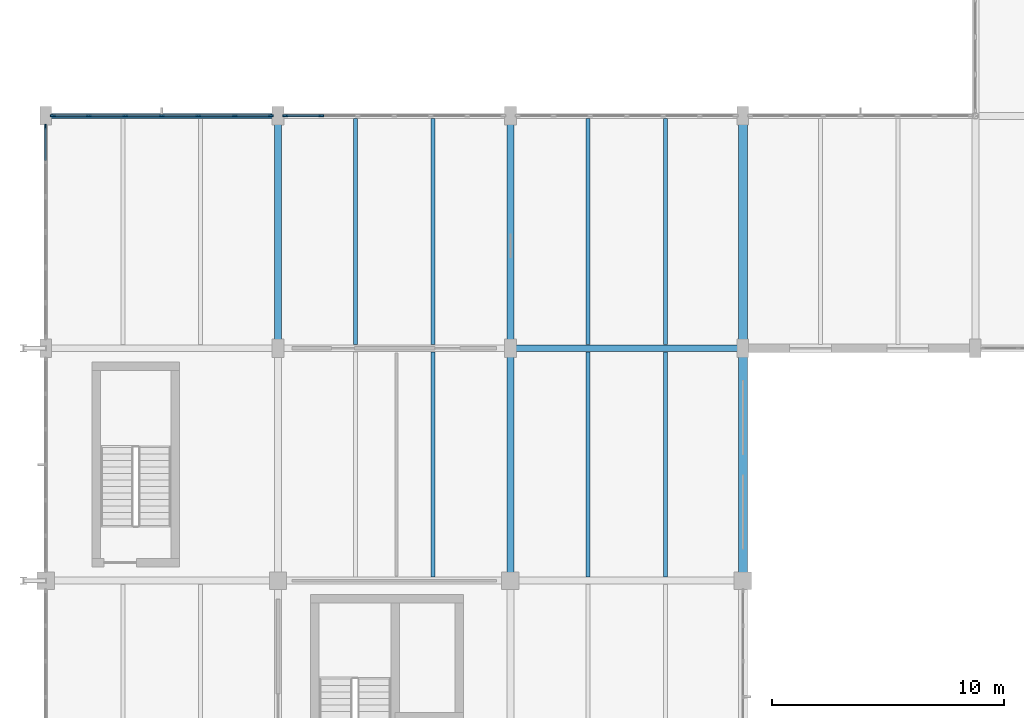
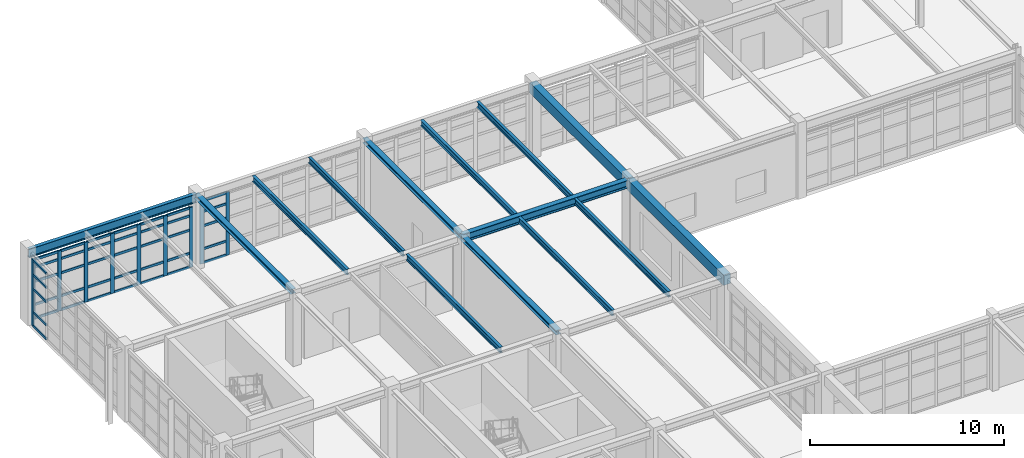
# One storey, part 45 of 139: 50 members, 14 beams, 3 elements without a shape of their own.
"""IFC4 building model written with IfcOpenShell, lengths in metres."""

import ifcopenshell
import ifcopenshell.guid

model = None  # the IFC model being written
_history = None  # IfcOwnerHistory: only IFC2X3 demands one
_inside = {}  # id of a spatial element -> (the spatial element, [elements in it])
_under = {}  # id of a project, library or spatial element -> (it, [spatial elements below it])
_declared = {}  # id of a project -> (the project, [libraries it declares])
_typed = {}  # id of a type object -> (the type object, [elements of that type])
_made_of = {}  # id of a material, layer set ... -> (it, [elements and type objects made of it])


def new_model(schema):
    """Start an empty IFC model of exactly this schema.

    Asked for "IFC4X3", IfcOpenShell would pick the latest addendum, in which some entities
    have other attributes; the version numbers below select the first issue.
    IFC2X3 requires an IfcOwnerHistory on every rooted entity: one is made here for all.
    """
    global model, _history
    if schema == "IFC4X3":
        model = ifcopenshell.file(schema_version=(4, 3, 0, 0))
    else:
        model = ifcopenshell.file(schema=schema)
    _inside.clear()
    _under.clear()
    _declared.clear()
    _typed.clear()
    _made_of.clear()
    _history = None
    if model.schema == "IFC2X3":
        org = make("IfcOrganization", Name="unknown")
        user = make(
            "IfcPersonAndOrganization",
            ThePerson=make("IfcPerson", FamilyName="unknown"),
            TheOrganization=org,
        )
        app = make(
            "IfcApplication",
            ApplicationDeveloper=org,
            Version="unknown",
            ApplicationFullName="unknown",
            ApplicationIdentifier="unknown",
        )
        _history = make(
            "IfcOwnerHistory",
            OwningUser=user,
            OwningApplication=app,
            ChangeAction="ADDED",
            CreationDate=0,
        )
    return model


def make(cls, **values):
    """One entity of the class cls with the attributes given. An attribute that is None is left unset."""
    return model.create_entity(
        cls, **{name: value for name, value in values.items() if value is not None}
    )


def rooted(cls, **values):
    """An entity with a GlobalId (a new one), such as an element, a storey or a relation."""
    return make(cls, GlobalId=ifcopenshell.guid.new(), OwnerHistory=_history, **values)


def si_unit(unit_type, name, prefix=None):
    """IfcSIUnit, for example si_unit("LENGTHUNIT", "METRE", prefix="MILLI")."""
    return make("IfcSIUnit", UnitType=unit_type, Prefix=prefix, Name=name)


def assignment(units):
    """IfcUnitAssignment: the units of a project."""
    return None if units is None else make("IfcUnitAssignment", Units=units)


def point(xyz):
    """IfcCartesianPoint."""
    return None if xyz is None else make("IfcCartesianPoint", Coordinates=xyz)


def direction(xyz):
    """IfcDirection."""
    return None if xyz is None else make("IfcDirection", DirectionRatios=xyz)


def frame(location, z_axis=None, x_axis=None):
    """IfcAxis2Placement3D, a coordinate frame: its origin and axes. An axis left out is left unset."""
    return make(
        "IfcAxis2Placement3D",
        Location=point(location),
        Axis=direction(z_axis),
        RefDirection=direction(x_axis),
    )


def frame_2d(location, x_axis=None):
    """IfcAxis2Placement2D, a coordinate frame in the plane: its origin and x axis."""
    return make(
        "IfcAxis2Placement2D", Location=point(location), RefDirection=direction(x_axis)
    )


def origin():
    """The frame at (0, 0, 0) with its axes left unset."""
    return frame((0.0, 0.0, 0.0))


def origin_2d():
    """The frame at (0, 0) in the plane with its x axis left unset."""
    return frame_2d((0.0, 0.0))


def place(relative_to, where):
    """IfcLocalPlacement: puts the frame where relative to a parent placement (None: the world)."""
    return make(
        "IfcLocalPlacement", PlacementRelTo=relative_to, RelativePlacement=where
    )


def context(
    kind, dimensions, precision=None, world=None, true_north=None, identifier=None
):
    """IfcGeometricRepresentationContext, for example the 3D "Model" context."""
    return make(
        "IfcGeometricRepresentationContext",
        ContextIdentifier=identifier,
        ContextType=kind,
        CoordinateSpaceDimension=dimensions,
        Precision=precision,
        WorldCoordinateSystem=world,
        TrueNorth=true_north,
    )


def subcontext(parent, identifier, kind, view, scale=None):
    """IfcGeometricRepresentationSubContext, for example "Body" below "Model"."""
    return make(
        "IfcGeometricRepresentationSubContext",
        ContextIdentifier=identifier,
        ContextType=kind,
        ParentContext=parent,
        TargetScale=scale,
        TargetView=view,
    )


def project(units=None, contexts=None):
    """IfcProject with its units and contexts."""
    return rooted(
        "IfcProject",
        Name="project",
        RepresentationContexts=contexts,
        UnitsInContext=assignment(units),
    )


def spatial(cls, under=None, at=None, **own):
    """A site, building, storey or space (cls), placed at a placement, below another one or the project."""
    s = rooted(cls, ObjectPlacement=at, **own)
    if under is not None:
        _under.setdefault(under.id(), (under, []))[1].append(s)
    return s


def profile(cls, at=None, kind="AREA", **sizes):
    """A parametric profile (cls). Its sizes go by their IFC names, for example OverallWidth=200.0."""
    return make(cls, ProfileType=kind, Position=at, **sizes)


def rectangle(**sizes):
    """IfcRectangleProfileDef."""
    return profile("IfcRectangleProfileDef", **sizes)


def i_section(**sizes):
    """IfcIShapeProfileDef."""
    return profile("IfcIShapeProfileDef", **sizes)


def extrude(swept, where, along, depth):
    """IfcExtrudedAreaSolid: the profile swept, set in the frame where, extruded along a direction by depth."""
    return make(
        "IfcExtrudedAreaSolid",
        SweptArea=swept,
        Position=where,
        ExtrudedDirection=direction(along),
        Depth=depth,
    )


def shape(context_of_items, identifier, shape_type, items):
    """IfcShapeRepresentation: the items that make up one representation, for example the "Body"."""
    return make(
        "IfcShapeRepresentation",
        ContextOfItems=context_of_items,
        RepresentationIdentifier=identifier,
        RepresentationType=shape_type,
        Items=items,
    )


def material(Name=None, Category=None):
    """IfcMaterial."""
    return make("IfcMaterial", Name=Name, Category=Category)


def layer(
    of_material, thickness, ventilated=None, Name=None, Category=None, Priority=None
):
    """IfcMaterialLayer: one layer of a wall or slab, of a material (None: an air gap)."""
    return make(
        "IfcMaterialLayer",
        Material=of_material,
        LayerThickness=thickness,
        IsVentilated=ventilated,
        Name=Name,
        Category=Category,
        Priority=Priority,
    )


def layer_set(layers, Name=None):
    """IfcMaterialLayerSet."""
    return make("IfcMaterialLayerSet", MaterialLayers=layers, LayerSetName=Name)


def material_profile(
    of_material, cross_section, Name=None, Category=None, Priority=None
):
    """IfcMaterialProfile: a cross section and its material."""
    return make(
        "IfcMaterialProfile",
        Name=Name,
        Material=of_material,
        Profile=cross_section,
        Priority=Priority,
        Category=Category,
    )


def profile_set(profiles, Name=None, composite=None):
    """IfcMaterialProfileSet."""
    return make(
        "IfcMaterialProfileSet",
        Name=Name,
        MaterialProfiles=profiles,
        CompositeProfile=composite,
    )


def made_of(thing, what):
    """Note that an element or type object is made of a material, layer set ...; save() writes the relation."""
    if what is not None:
        _made_of.setdefault(what.id(), (what, []))[1].append(thing)
    return thing


def type_object(cls, material=None, **own):
    """A type object (cls), such as IfcWallType, which elements share."""
    return made_of(rooted(cls, **own), material)


def element(
    cls,
    number,
    at=None,
    inside=None,
    cuts=None,
    type_object=None,
    material=None,
    context=None,
    identifier="Body",
    shape_type=None,
    held_by="IfcProductDefinitionShape",
    body=None,
    shapes=None,
    **own,
):
    """One element of the class cls, such as IfcWall. Its Tag is "e" and its number.

    at: its placement. inside: the storey or other place that contains it. cuts: it is an
    opening in that element (IfcRelVoidsElement). A single representation is given by context,
    identifier, shape_type and body (its items); several are given by shapes. held_by: the class
    of the entity that holds the representations. save() writes the other relations.
    """
    e = rooted(cls, Tag="e%d" % number, ObjectPlacement=at, **own)
    if body is not None:
        shapes = [shape(context, identifier, shape_type, body)]
    if shapes is not None:
        e.Representation = make(held_by, Representations=shapes)
    if inside is not None:
        _inside.setdefault(inside.id(), (inside, []))[1].append(e)
    if cuts is not None:
        rooted(
            "IfcRelVoidsElement", RelatingBuildingElement=cuts, RelatedOpeningElement=e
        )
    if type_object is not None:
        _typed.setdefault(type_object.id(), (type_object, []))[1].append(e)
    return made_of(e, material)


def aggregate(whole, parts):
    """IfcRelAggregates: a whole, such as a stair, and the parts it consists of."""
    return rooted("IfcRelAggregates", RelatingObject=whole, RelatedObjects=parts)


def save(model, path):
    """Write the relations noted so far, then the file.

    IfcRelAggregates (storeys below a building ...), IfcRelContainedInSpatialStructure (elements
    in a storey), IfcRelDefinesByType, IfcRelAssociatesMaterial and IfcRelDeclares: one each for
    every whole, place, type object, material and project.
    """
    for whole, parts in _under.values():
        aggregate(whole, parts)
    for where, things in _inside.values():
        rooted(
            "IfcRelContainedInSpatialStructure",
            RelatedElements=things,
            RelatingStructure=where,
        )
    for kind, things in _typed.values():
        rooted("IfcRelDefinesByType", RelatedObjects=things, RelatingType=kind)
    for what, things in _made_of.values():
        rooted("IfcRelAssociatesMaterial", RelatedObjects=things, RelatingMaterial=what)
    for by, libraries in _declared.values():
        rooted("IfcRelDeclares", RelatingContext=by, RelatedDefinitions=libraries)
    model.write(path)


model = new_model("IFC4")

# Units and contexts
model_context = context("Model", 3, precision=1e-05, world=origin(), true_north=direction((0.0, 1.0)))
body_context = subcontext(model_context, "Body", "Model", "MODEL_VIEW")
ifc_project = project(units=[si_unit("LENGTHUNIT", "METRE"), si_unit("AREAUNIT", "SQUARE_METRE"), si_unit("VOLUMEUNIT", "CUBIC_METRE"), si_unit("PLANEANGLEUNIT", "RADIAN"), si_unit("MASSUNIT", "GRAM", prefix="KILO"), si_unit("THERMODYNAMICTEMPERATUREUNIT", "KELVIN"), si_unit("POWERUNIT", "WATT")], contexts=[model_context])

# Site, building, storey
site_placement = place(None, origin())
site = spatial("IfcSite", under=ifc_project, at=site_placement, CompositionType="ELEMENT")
building_placement = place(site_placement, origin())
building = spatial("IfcBuilding", under=site, at=building_placement, Name="Korenveer Ferry Terminal", CompositionType="ELEMENT")
storey_placement = place(building_placement, frame((0.0, 0.0, 5.39990234375)))
storey = spatial("IfcBuildingStorey", under=building, at=storey_placement, Name="L01", CompositionType="ELEMENT", Elevation=5.39990234375)

# Curtain wall, members
ifc_material_1 = material(Name="Unitised bronze-and-glass curtain wall", Category="glass")
ifc_layer_1 = layer(ifc_material_1, 0.219970703125)
ifc_layer_set_1 = layer_set([ifc_layer_1], Name="Unitised bronze-and-glass curtain wall")
curtain_wall_type_1 = type_object("IfcCurtainWallType", Name="ENV-CW-48", PredefinedType="USERDEFINED", material=ifc_layer_set_1)
curtain_wall_1_placement = place(storey_placement, frame((0.280029296875, 80.0, 0.0)))
curtain_wall_1 = element("IfcCurtainWall", 1, at=curtain_wall_1_placement, inside=storey, type_object=curtain_wall_type_1, Name="Lancet curtain wall CWX-L01-X0-10-Y80-80", ObjectType="UNITISED CURTAIN WALL", PredefinedType="USERDEFINED")
ifc_material_2 = material(Name="Anodised bronze aluminium", Category="aluminium")
ifc_material_profile_1 = material_profile(ifc_material_2, rectangle(XDim=0.074951171875, YDim=0.219970703125, at=origin_2d()), Name="ALU 75x220")
ifc_profile_set_1 = profile_set([ifc_material_profile_1], Name="Anodised bronze aluminium")
member_type_1 = type_object("IfcMemberType", Name="ENV-CWM-75X220", PredefinedType="MULLION", material=ifc_profile_set_1)
member_1_placement = place(storey_placement, frame((0.3173828125, 80.0, 0.0), z_axis=(0.0, 0.0, 1.0), x_axis=(0.0, 1.0, 0.0)))
member_1 = element("IfcMember", 2, at=member_1_placement, type_object=member_type_1, Name="CW-48 mullion 1", PredefinedType="MULLION", context=body_context, shape_type="SweptSolid", body=[
    extrude(rectangle(XDim=0.074951171875, YDim=0.219970703125, at=origin_2d()), origin(), (0.0, 0.0, 1.0), 3.77001953125),
])
member_2_placement = place(storey_placement, frame((1.853271484375, 80.0, 0.0), z_axis=(0.0, 0.0, 1.0), x_axis=(0.0, 1.0, 0.0)))
member_2 = element("IfcMember", 3, at=member_2_placement, type_object=member_type_1, Name="CW-48 mullion 2", PredefinedType="MULLION", context=body_context, shape_type="SweptSolid", body=[
    extrude(rectangle(XDim=0.074951171875, YDim=0.219970703125, at=origin_2d()), origin(), (0.0, 0.0, 1.0), 3.77001953125),
])
member_3_placement = place(storey_placement, frame((3.4267578125, 80.0, 0.0), z_axis=(0.0, 0.0, 1.0), x_axis=(0.0, 1.0, 0.0)))
member_3 = element("IfcMember", 4, at=member_3_placement, type_object=member_type_1, Name="CW-48 mullion 3", PredefinedType="MULLION", context=body_context, shape_type="SweptSolid", body=[
    extrude(rectangle(XDim=0.074951171875, YDim=0.219970703125, at=origin_2d()), origin(), (0.0, 0.0, 1.0), 3.77001953125),
])
member_4_placement = place(storey_placement, frame((5.0, 80.0, 0.0), z_axis=(0.0, 0.0, 1.0), x_axis=(0.0, 1.0, 0.0)))
member_4 = element("IfcMember", 5, at=member_4_placement, type_object=member_type_1, Name="CW-48 mullion 4", PredefinedType="MULLION", context=body_context, shape_type="SweptSolid", body=[
    extrude(rectangle(XDim=0.074951171875, YDim=0.219970703125, at=origin_2d()), origin(), (0.0, 0.0, 1.0), 3.77001953125),
])
member_5_placement = place(storey_placement, frame((6.5732421875, 80.0, 0.0), z_axis=(0.0, 0.0, 1.0), x_axis=(0.0, 1.0, 0.0)))
member_5 = element("IfcMember", 6, at=member_5_placement, type_object=member_type_1, Name="CW-48 mullion 5", PredefinedType="MULLION", context=body_context, shape_type="SweptSolid", body=[
    extrude(rectangle(XDim=0.074951171875, YDim=0.219970703125, at=origin_2d()), origin(), (0.0, 0.0, 1.0), 3.77001953125),
])
member_6_placement = place(storey_placement, frame((8.146728515625, 80.0, 0.0), z_axis=(0.0, 0.0, 1.0), x_axis=(0.0, 1.0, 0.0)))
member_6 = element("IfcMember", 7, at=member_6_placement, type_object=member_type_1, Name="CW-48 mullion 6", PredefinedType="MULLION", context=body_context, shape_type="SweptSolid", body=[
    extrude(rectangle(XDim=0.074951171875, YDim=0.219970703125, at=origin_2d()), origin(), (0.0, 0.0, 1.0), 3.77001953125),
])
member_7_placement = place(storey_placement, frame((9.6826171875, 80.0, 0.0), z_axis=(0.0, 0.0, 1.0), x_axis=(0.0, 1.0, 0.0)))
member_7 = element("IfcMember", 8, at=member_7_placement, type_object=member_type_1, Name="CW-48 mullion 7", PredefinedType="MULLION", context=body_context, shape_type="SweptSolid", body=[
    extrude(rectangle(XDim=0.074951171875, YDim=0.219970703125, at=origin_2d()), origin(), (0.0, 0.0, 1.0), 3.77001953125),
])

ifc_layer_2 = layer(ifc_material_1, 0.219970703125)
ifc_layer_set_2 = layer_set([ifc_layer_2], Name="Unitised bronze-and-glass curtain wall")
curtain_wall_type_2 = type_object("IfcCurtainWallType", Name="ENV-CW-49", PredefinedType="USERDEFINED", material=ifc_layer_set_2)
curtain_wall_2_placement = place(storey_placement, frame((10.280029296875, 80.0, 0.0)))
curtain_wall_2 = element("IfcCurtainWall", 9, at=curtain_wall_2_placement, inside=storey, type_object=curtain_wall_type_2, Name="Lancet curtain wall CWX-L01-X10-20-Y80-80", ObjectType="UNITISED CURTAIN WALL", PredefinedType="USERDEFINED")
member_8_placement = place(storey_placement, frame((10.3173828125, 80.0, 0.0), z_axis=(0.0, 0.0, 1.0), x_axis=(0.0, 1.0, 0.0)))
member_8 = element("IfcMember", 10, at=member_8_placement, type_object=member_type_1, Name="CW-49 mullion 1", PredefinedType="MULLION", context=body_context, shape_type="SweptSolid", body=[
    extrude(rectangle(XDim=0.074951171875, YDim=0.219970703125, at=origin_2d()), origin(), (0.0, 0.0, 1.0), 3.97021484375),
])
member_9_placement = place(storey_placement, frame((11.853271484375, 80.0, 0.0), z_axis=(0.0, 0.0, 1.0), x_axis=(0.0, 1.0, 0.0)))
member_9 = element("IfcMember", 11, at=member_9_placement, type_object=member_type_1, Name="CW-49 mullion 2", PredefinedType="MULLION", context=body_context, shape_type="SweptSolid", body=[
    extrude(rectangle(XDim=0.074951171875, YDim=0.219970703125, at=origin_2d()), origin(), (0.0, 0.0, 1.0), 3.97021484375),
])

# Curtain wall, member
ifc_layer_3 = layer(ifc_material_1, 0.219970703125)
ifc_layer_set_3 = layer_set([ifc_layer_3], Name="Unitised bronze-and-glass curtain wall")
curtain_wall_type_3 = type_object("IfcCurtainWallType", Name="ENV-CW-61", PredefinedType="USERDEFINED", material=ifc_layer_set_3)
curtain_wall_3_placement = place(storey_placement, frame((0.0, 70.429931640625, 0.0)))
curtain_wall_3 = element("IfcCurtainWall", 12, at=curtain_wall_3_placement, inside=storey, type_object=curtain_wall_type_3, Name="Lancet curtain wall CWX-L01-X0-0-Y70-80", ObjectType="UNITISED CURTAIN WALL", PredefinedType="USERDEFINED")
member_10_placement = place(storey_placement, frame((0.0, 79.532470703125, 0.0), z_axis=(0.0, 0.0, 1.0), x_axis=(-1.0, 0.0, 0.0)))
member_10 = element("IfcMember", 13, at=member_10_placement, type_object=member_type_1, Name="CW-61 mullion 7", PredefinedType="MULLION", context=body_context, shape_type="SweptSolid", body=[
    extrude(rectangle(XDim=0.074951171875, YDim=0.219970703125, at=origin_2d()), origin(), (0.0, 0.0, 1.0), 4.170166015625),
])

# Member
ifc_material_profile_2 = material_profile(ifc_material_2, rectangle(XDim=0.074951171875, YDim=0.14990234375, at=origin_2d()), Name="ALU 75x150")
ifc_profile_set_2 = profile_set([ifc_material_profile_2], Name="Anodised bronze aluminium")
member_type_2 = type_object("IfcMemberType", Name="ENV-CWT-75X150", PredefinedType="USERDEFINED", material=ifc_profile_set_2)
member_11_placement = place(storey_placement, frame((0.35498046875, 80.0, 0.03759765625), z_axis=(1.0, 0.0, 0.0), x_axis=(0.0, 1.0, 0.0)))
member_11 = element("IfcMember", 14, at=member_11_placement, type_object=member_type_2, Name="CW-48 transom 1.1", ObjectType="TRANSOM", PredefinedType="USERDEFINED", context=body_context, shape_type="SweptSolid", body=[
    extrude(rectangle(XDim=0.074951171875, YDim=0.14990234375, at=origin_2d()), origin(), (0.0, 0.0, 1.0), 1.4609375),
])

member_12_placement = place(storey_placement, frame((0.35498046875, 80.0, 0.900146484375), z_axis=(1.0, 0.0, 0.0), x_axis=(0.0, 1.0, 0.0)))
member_12 = element("IfcMember", 15, at=member_12_placement, type_object=member_type_2, Name="CW-48 transom 1.2", ObjectType="TRANSOM", PredefinedType="USERDEFINED", context=body_context, shape_type="SweptSolid", body=[
    extrude(rectangle(XDim=0.074951171875, YDim=0.14990234375, at=origin_2d()), origin(), (0.0, 0.0, 1.0), 1.4609375),
])

member_13_placement = place(storey_placement, frame((0.35498046875, 80.0, 2.35009765625), z_axis=(1.0, 0.0, 0.0), x_axis=(0.0, 1.0, 0.0)))
member_13 = element("IfcMember", 16, at=member_13_placement, type_object=member_type_2, Name="CW-48 transom 1.3", ObjectType="TRANSOM", PredefinedType="USERDEFINED", context=body_context, shape_type="SweptSolid", body=[
    extrude(rectangle(XDim=0.074951171875, YDim=0.14990234375, at=origin_2d()), origin(), (0.0, 0.0, 1.0), 1.4609375),
])

member_14_placement = place(storey_placement, frame((0.35498046875, 80.0, 3.25), z_axis=(1.0, 0.0, 0.0), x_axis=(0.0, 1.0, 0.0)))
member_14 = element("IfcMember", 17, at=member_14_placement, type_object=member_type_2, Name="CW-48 transom 1.4", ObjectType="TRANSOM", PredefinedType="USERDEFINED", context=body_context, shape_type="SweptSolid", body=[
    extrude(rectangle(XDim=0.074951171875, YDim=0.14990234375, at=origin_2d()), origin(), (0.0, 0.0, 1.0), 1.4609375),
])

member_15_placement = place(storey_placement, frame((0.35498046875, 80.0, 3.732666015625), z_axis=(1.0, 0.0, 0.0), x_axis=(0.0, 1.0, 0.0)))
member_15 = element("IfcMember", 18, at=member_15_placement, type_object=member_type_2, Name="CW-48 transom 1.5", ObjectType="TRANSOM", PredefinedType="USERDEFINED", context=body_context, shape_type="SweptSolid", body=[
    extrude(rectangle(XDim=0.074951171875, YDim=0.14990234375, at=origin_2d()), origin(), (0.0, 0.0, 1.0), 1.4609375),
])

member_16_placement = place(storey_placement, frame((1.890869140625, 80.0, 0.03759765625), z_axis=(1.0, 0.0, 0.0), x_axis=(0.0, 1.0, 0.0)))
member_16 = element("IfcMember", 19, at=member_16_placement, type_object=member_type_2, Name="CW-48 transom 2.1", ObjectType="TRANSOM", PredefinedType="USERDEFINED", context=body_context, shape_type="SweptSolid", body=[
    extrude(rectangle(XDim=0.074951171875, YDim=0.14990234375, at=origin_2d()), origin(), (0.0, 0.0, 1.0), 1.498291015625),
])

member_17_placement = place(storey_placement, frame((1.890869140625, 80.0, 0.900146484375), z_axis=(1.0, 0.0, 0.0), x_axis=(0.0, 1.0, 0.0)))
member_17 = element("IfcMember", 20, at=member_17_placement, type_object=member_type_2, Name="CW-48 transom 2.2", ObjectType="TRANSOM", PredefinedType="USERDEFINED", context=body_context, shape_type="SweptSolid", body=[
    extrude(rectangle(XDim=0.074951171875, YDim=0.14990234375, at=origin_2d()), origin(), (0.0, 0.0, 1.0), 1.498291015625),
])

member_18_placement = place(storey_placement, frame((1.890869140625, 80.0, 2.35009765625), z_axis=(1.0, 0.0, 0.0), x_axis=(0.0, 1.0, 0.0)))
member_18 = element("IfcMember", 21, at=member_18_placement, type_object=member_type_2, Name="CW-48 transom 2.3", ObjectType="TRANSOM", PredefinedType="USERDEFINED", context=body_context, shape_type="SweptSolid", body=[
    extrude(rectangle(XDim=0.074951171875, YDim=0.14990234375, at=origin_2d()), origin(), (0.0, 0.0, 1.0), 1.498291015625),
])

member_19_placement = place(storey_placement, frame((1.890869140625, 80.0, 3.25), z_axis=(1.0, 0.0, 0.0), x_axis=(0.0, 1.0, 0.0)))
member_19 = element("IfcMember", 22, at=member_19_placement, type_object=member_type_2, Name="CW-48 transom 2.4", ObjectType="TRANSOM", PredefinedType="USERDEFINED", context=body_context, shape_type="SweptSolid", body=[
    extrude(rectangle(XDim=0.074951171875, YDim=0.14990234375, at=origin_2d()), origin(), (0.0, 0.0, 1.0), 1.498291015625),
])

member_20_placement = place(storey_placement, frame((1.890869140625, 80.0, 3.732666015625), z_axis=(1.0, 0.0, 0.0), x_axis=(0.0, 1.0, 0.0)))
member_20 = element("IfcMember", 23, at=member_20_placement, type_object=member_type_2, Name="CW-48 transom 2.5", ObjectType="TRANSOM", PredefinedType="USERDEFINED", context=body_context, shape_type="SweptSolid", body=[
    extrude(rectangle(XDim=0.074951171875, YDim=0.14990234375, at=origin_2d()), origin(), (0.0, 0.0, 1.0), 1.498291015625),
])

member_21_placement = place(storey_placement, frame((3.464111328125, 80.0, 0.03759765625), z_axis=(1.0, 0.0, 0.0), x_axis=(0.0, 1.0, 0.0)))
member_21 = element("IfcMember", 24, at=member_21_placement, type_object=member_type_2, Name="CW-48 transom 3.1", ObjectType="TRANSOM", PredefinedType="USERDEFINED", context=body_context, shape_type="SweptSolid", body=[
    extrude(rectangle(XDim=0.074951171875, YDim=0.14990234375, at=origin_2d()), origin(), (0.0, 0.0, 1.0), 1.498291015625),
])

member_22_placement = place(storey_placement, frame((3.464111328125, 80.0, 0.900146484375), z_axis=(1.0, 0.0, 0.0), x_axis=(0.0, 1.0, 0.0)))
member_22 = element("IfcMember", 25, at=member_22_placement, type_object=member_type_2, Name="CW-48 transom 3.2", ObjectType="TRANSOM", PredefinedType="USERDEFINED", context=body_context, shape_type="SweptSolid", body=[
    extrude(rectangle(XDim=0.074951171875, YDim=0.14990234375, at=origin_2d()), origin(), (0.0, 0.0, 1.0), 1.498291015625),
])

member_23_placement = place(storey_placement, frame((3.464111328125, 80.0, 2.35009765625), z_axis=(1.0, 0.0, 0.0), x_axis=(0.0, 1.0, 0.0)))
member_23 = element("IfcMember", 26, at=member_23_placement, type_object=member_type_2, Name="CW-48 transom 3.3", ObjectType="TRANSOM", PredefinedType="USERDEFINED", context=body_context, shape_type="SweptSolid", body=[
    extrude(rectangle(XDim=0.074951171875, YDim=0.14990234375, at=origin_2d()), origin(), (0.0, 0.0, 1.0), 1.498291015625),
])

member_24_placement = place(storey_placement, frame((3.464111328125, 80.0, 3.25), z_axis=(1.0, 0.0, 0.0), x_axis=(0.0, 1.0, 0.0)))
member_24 = element("IfcMember", 27, at=member_24_placement, type_object=member_type_2, Name="CW-48 transom 3.4", ObjectType="TRANSOM", PredefinedType="USERDEFINED", context=body_context, shape_type="SweptSolid", body=[
    extrude(rectangle(XDim=0.074951171875, YDim=0.14990234375, at=origin_2d()), origin(), (0.0, 0.0, 1.0), 1.498291015625),
])

member_25_placement = place(storey_placement, frame((3.464111328125, 80.0, 3.732666015625), z_axis=(1.0, 0.0, 0.0), x_axis=(0.0, 1.0, 0.0)))
member_25 = element("IfcMember", 28, at=member_25_placement, type_object=member_type_2, Name="CW-48 transom 3.5", ObjectType="TRANSOM", PredefinedType="USERDEFINED", context=body_context, shape_type="SweptSolid", body=[
    extrude(rectangle(XDim=0.074951171875, YDim=0.14990234375, at=origin_2d()), origin(), (0.0, 0.0, 1.0), 1.498291015625),
])

member_26_placement = place(storey_placement, frame((5.03759765625, 80.0, 0.03759765625), z_axis=(1.0, 0.0, 0.0), x_axis=(0.0, 1.0, 0.0)))
member_26 = element("IfcMember", 29, at=member_26_placement, type_object=member_type_2, Name="CW-48 transom 4.1", ObjectType="TRANSOM", PredefinedType="USERDEFINED", context=body_context, shape_type="SweptSolid", body=[
    extrude(rectangle(XDim=0.074951171875, YDim=0.14990234375, at=origin_2d()), origin(), (0.0, 0.0, 1.0), 1.498291015625),
])

member_27_placement = place(storey_placement, frame((5.03759765625, 80.0, 0.900146484375), z_axis=(1.0, 0.0, 0.0), x_axis=(0.0, 1.0, 0.0)))
member_27 = element("IfcMember", 30, at=member_27_placement, type_object=member_type_2, Name="CW-48 transom 4.2", ObjectType="TRANSOM", PredefinedType="USERDEFINED", context=body_context, shape_type="SweptSolid", body=[
    extrude(rectangle(XDim=0.074951171875, YDim=0.14990234375, at=origin_2d()), origin(), (0.0, 0.0, 1.0), 1.498291015625),
])

member_28_placement = place(storey_placement, frame((5.03759765625, 80.0, 2.35009765625), z_axis=(1.0, 0.0, 0.0), x_axis=(0.0, 1.0, 0.0)))
member_28 = element("IfcMember", 31, at=member_28_placement, type_object=member_type_2, Name="CW-48 transom 4.3", ObjectType="TRANSOM", PredefinedType="USERDEFINED", context=body_context, shape_type="SweptSolid", body=[
    extrude(rectangle(XDim=0.074951171875, YDim=0.14990234375, at=origin_2d()), origin(), (0.0, 0.0, 1.0), 1.498291015625),
])

member_29_placement = place(storey_placement, frame((5.03759765625, 80.0, 3.25), z_axis=(1.0, 0.0, 0.0), x_axis=(0.0, 1.0, 0.0)))
member_29 = element("IfcMember", 32, at=member_29_placement, type_object=member_type_2, Name="CW-48 transom 4.4", ObjectType="TRANSOM", PredefinedType="USERDEFINED", context=body_context, shape_type="SweptSolid", body=[
    extrude(rectangle(XDim=0.074951171875, YDim=0.14990234375, at=origin_2d()), origin(), (0.0, 0.0, 1.0), 1.498291015625),
])

member_30_placement = place(storey_placement, frame((5.03759765625, 80.0, 3.732666015625), z_axis=(1.0, 0.0, 0.0), x_axis=(0.0, 1.0, 0.0)))
member_30 = element("IfcMember", 33, at=member_30_placement, type_object=member_type_2, Name="CW-48 transom 4.5", ObjectType="TRANSOM", PredefinedType="USERDEFINED", context=body_context, shape_type="SweptSolid", body=[
    extrude(rectangle(XDim=0.074951171875, YDim=0.14990234375, at=origin_2d()), origin(), (0.0, 0.0, 1.0), 1.498291015625),
])

member_31_placement = place(storey_placement, frame((6.61083984375, 80.0, 0.03759765625), z_axis=(1.0, 0.0, 0.0), x_axis=(0.0, 1.0, 0.0)))
member_31 = element("IfcMember", 34, at=member_31_placement, type_object=member_type_2, Name="CW-48 transom 5.1", ObjectType="TRANSOM", PredefinedType="USERDEFINED", context=body_context, shape_type="SweptSolid", body=[
    extrude(rectangle(XDim=0.074951171875, YDim=0.14990234375, at=origin_2d()), origin(), (0.0, 0.0, 1.0), 1.498291015625),
])

member_32_placement = place(storey_placement, frame((6.61083984375, 80.0, 0.900146484375), z_axis=(1.0, 0.0, 0.0), x_axis=(0.0, 1.0, 0.0)))
member_32 = element("IfcMember", 35, at=member_32_placement, type_object=member_type_2, Name="CW-48 transom 5.2", ObjectType="TRANSOM", PredefinedType="USERDEFINED", context=body_context, shape_type="SweptSolid", body=[
    extrude(rectangle(XDim=0.074951171875, YDim=0.14990234375, at=origin_2d()), origin(), (0.0, 0.0, 1.0), 1.498291015625),
])

member_33_placement = place(storey_placement, frame((6.61083984375, 80.0, 2.35009765625), z_axis=(1.0, 0.0, 0.0), x_axis=(0.0, 1.0, 0.0)))
member_33 = element("IfcMember", 36, at=member_33_placement, type_object=member_type_2, Name="CW-48 transom 5.3", ObjectType="TRANSOM", PredefinedType="USERDEFINED", context=body_context, shape_type="SweptSolid", body=[
    extrude(rectangle(XDim=0.074951171875, YDim=0.14990234375, at=origin_2d()), origin(), (0.0, 0.0, 1.0), 1.498291015625),
])

member_34_placement = place(storey_placement, frame((6.61083984375, 80.0, 3.25), z_axis=(1.0, 0.0, 0.0), x_axis=(0.0, 1.0, 0.0)))
member_34 = element("IfcMember", 37, at=member_34_placement, type_object=member_type_2, Name="CW-48 transom 5.4", ObjectType="TRANSOM", PredefinedType="USERDEFINED", context=body_context, shape_type="SweptSolid", body=[
    extrude(rectangle(XDim=0.074951171875, YDim=0.14990234375, at=origin_2d()), origin(), (0.0, 0.0, 1.0), 1.498291015625),
])

member_35_placement = place(storey_placement, frame((6.61083984375, 80.0, 3.732666015625), z_axis=(1.0, 0.0, 0.0), x_axis=(0.0, 1.0, 0.0)))
member_35 = element("IfcMember", 38, at=member_35_placement, type_object=member_type_2, Name="CW-48 transom 5.5", ObjectType="TRANSOM", PredefinedType="USERDEFINED", context=body_context, shape_type="SweptSolid", body=[
    extrude(rectangle(XDim=0.074951171875, YDim=0.14990234375, at=origin_2d()), origin(), (0.0, 0.0, 1.0), 1.498291015625),
])

member_36_placement = place(storey_placement, frame((8.18408203125, 80.0, 0.03759765625), z_axis=(1.0, 0.0, 0.0), x_axis=(0.0, 1.0, 0.0)))
member_36 = element("IfcMember", 39, at=member_36_placement, type_object=member_type_2, Name="CW-48 transom 6.1", ObjectType="TRANSOM", PredefinedType="USERDEFINED", context=body_context, shape_type="SweptSolid", body=[
    extrude(rectangle(XDim=0.074951171875, YDim=0.14990234375, at=origin_2d()), origin(), (0.0, 0.0, 1.0), 1.4609375),
])

member_37_placement = place(storey_placement, frame((8.18408203125, 80.0, 0.900146484375), z_axis=(1.0, 0.0, 0.0), x_axis=(0.0, 1.0, 0.0)))
member_37 = element("IfcMember", 40, at=member_37_placement, type_object=member_type_2, Name="CW-48 transom 6.2", ObjectType="TRANSOM", PredefinedType="USERDEFINED", context=body_context, shape_type="SweptSolid", body=[
    extrude(rectangle(XDim=0.074951171875, YDim=0.14990234375, at=origin_2d()), origin(), (0.0, 0.0, 1.0), 1.4609375),
])

member_38_placement = place(storey_placement, frame((8.18408203125, 80.0, 2.35009765625), z_axis=(1.0, 0.0, 0.0), x_axis=(0.0, 1.0, 0.0)))
member_38 = element("IfcMember", 41, at=member_38_placement, type_object=member_type_2, Name="CW-48 transom 6.3", ObjectType="TRANSOM", PredefinedType="USERDEFINED", context=body_context, shape_type="SweptSolid", body=[
    extrude(rectangle(XDim=0.074951171875, YDim=0.14990234375, at=origin_2d()), origin(), (0.0, 0.0, 1.0), 1.4609375),
])

member_39_placement = place(storey_placement, frame((8.18408203125, 80.0, 3.25), z_axis=(1.0, 0.0, 0.0), x_axis=(0.0, 1.0, 0.0)))
member_39 = element("IfcMember", 42, at=member_39_placement, type_object=member_type_2, Name="CW-48 transom 6.4", ObjectType="TRANSOM", PredefinedType="USERDEFINED", context=body_context, shape_type="SweptSolid", body=[
    extrude(rectangle(XDim=0.074951171875, YDim=0.14990234375, at=origin_2d()), origin(), (0.0, 0.0, 1.0), 1.4609375),
])

member_40_placement = place(storey_placement, frame((8.18408203125, 80.0, 3.732666015625), z_axis=(1.0, 0.0, 0.0), x_axis=(0.0, 1.0, 0.0)))
member_40 = element("IfcMember", 43, at=member_40_placement, type_object=member_type_2, Name="CW-48 transom 6.5", ObjectType="TRANSOM", PredefinedType="USERDEFINED", context=body_context, shape_type="SweptSolid", body=[
    extrude(rectangle(XDim=0.074951171875, YDim=0.14990234375, at=origin_2d()), origin(), (0.0, 0.0, 1.0), 1.4609375),
])

aggregate(curtain_wall_1, [member_1, member_2, member_3, member_4, member_5, member_6, member_7, member_11, member_12, member_13, member_14, member_15, member_16, member_17, member_18, member_19, member_20, member_21, member_22, member_23, member_24, member_25, member_26, member_27, member_28, member_29, member_30, member_31, member_32, member_33, member_34, member_35, member_36, member_37, member_38, member_39, member_40])

member_41_placement = place(storey_placement, frame((10.35498046875, 80.0, 0.03759765625), z_axis=(1.0, 0.0, 0.0), x_axis=(0.0, 1.0, 0.0)))
member_41 = element("IfcMember", 44, at=member_41_placement, type_object=member_type_2, Name="CW-49 transom 1.1", ObjectType="TRANSOM", PredefinedType="USERDEFINED", context=body_context, shape_type="SweptSolid", body=[
    extrude(rectangle(XDim=0.074951171875, YDim=0.14990234375, at=origin_2d()), origin(), (0.0, 0.0, 1.0), 1.4609375),
])

member_42_placement = place(storey_placement, frame((10.35498046875, 80.0, 0.900146484375), z_axis=(1.0, 0.0, 0.0), x_axis=(0.0, 1.0, 0.0)))
member_42 = element("IfcMember", 45, at=member_42_placement, type_object=member_type_2, Name="CW-49 transom 1.2", ObjectType="TRANSOM", PredefinedType="USERDEFINED", context=body_context, shape_type="SweptSolid", body=[
    extrude(rectangle(XDim=0.074951171875, YDim=0.14990234375, at=origin_2d()), origin(), (0.0, 0.0, 1.0), 1.4609375),
])

member_43_placement = place(storey_placement, frame((10.35498046875, 80.0, 2.35009765625), z_axis=(1.0, 0.0, 0.0), x_axis=(0.0, 1.0, 0.0)))
member_43 = element("IfcMember", 46, at=member_43_placement, type_object=member_type_2, Name="CW-49 transom 1.3", ObjectType="TRANSOM", PredefinedType="USERDEFINED", context=body_context, shape_type="SweptSolid", body=[
    extrude(rectangle(XDim=0.074951171875, YDim=0.14990234375, at=origin_2d()), origin(), (0.0, 0.0, 1.0), 1.4609375),
])

member_44_placement = place(storey_placement, frame((10.35498046875, 80.0, 3.25), z_axis=(1.0, 0.0, 0.0), x_axis=(0.0, 1.0, 0.0)))
member_44 = element("IfcMember", 47, at=member_44_placement, type_object=member_type_2, Name="CW-49 transom 1.4", ObjectType="TRANSOM", PredefinedType="USERDEFINED", context=body_context, shape_type="SweptSolid", body=[
    extrude(rectangle(XDim=0.074951171875, YDim=0.14990234375, at=origin_2d()), origin(), (0.0, 0.0, 1.0), 1.4609375),
])

member_45_placement = place(storey_placement, frame((10.35498046875, 80.0, 3.9326171875), z_axis=(1.0, 0.0, 0.0), x_axis=(0.0, 1.0, 0.0)))
member_45 = element("IfcMember", 48, at=member_45_placement, type_object=member_type_2, Name="CW-49 transom 1.5", ObjectType="TRANSOM", PredefinedType="USERDEFINED", context=body_context, shape_type="SweptSolid", body=[
    extrude(rectangle(XDim=0.074951171875, YDim=0.14990234375, at=origin_2d()), origin(), (0.0, 0.0, 1.0), 1.4609375),
])

aggregate(curtain_wall_2, [member_8, member_9, member_41, member_42, member_43, member_44, member_45])

member_46_placement = place(storey_placement, frame((0.0, 78.084228515625, 0.03759765625), z_axis=(0.0, 1.0, 0.0), x_axis=(-1.0, 0.0, 0.0)))
member_46 = element("IfcMember", 49, at=member_46_placement, type_object=member_type_2, Name="CW-61 transom 6.1", ObjectType="TRANSOM", PredefinedType="USERDEFINED", context=body_context, shape_type="SweptSolid", body=[
    extrude(rectangle(XDim=0.074951171875, YDim=0.14990234375, at=origin_2d()), origin(), (0.0, 0.0, 1.0), 1.410888671875),
])

member_47_placement = place(storey_placement, frame((0.0, 78.084228515625, 0.900146484375), z_axis=(0.0, 1.0, 0.0), x_axis=(-1.0, 0.0, 0.0)))
member_47 = element("IfcMember", 50, at=member_47_placement, type_object=member_type_2, Name="CW-61 transom 6.2", ObjectType="TRANSOM", PredefinedType="USERDEFINED", context=body_context, shape_type="SweptSolid", body=[
    extrude(rectangle(XDim=0.074951171875, YDim=0.14990234375, at=origin_2d()), origin(), (0.0, 0.0, 1.0), 1.410888671875),
])

member_48_placement = place(storey_placement, frame((0.0, 78.084228515625, 2.35009765625), z_axis=(0.0, 1.0, 0.0), x_axis=(-1.0, 0.0, 0.0)))
member_48 = element("IfcMember", 51, at=member_48_placement, type_object=member_type_2, Name="CW-61 transom 6.3", ObjectType="TRANSOM", PredefinedType="USERDEFINED", context=body_context, shape_type="SweptSolid", body=[
    extrude(rectangle(XDim=0.074951171875, YDim=0.14990234375, at=origin_2d()), origin(), (0.0, 0.0, 1.0), 1.410888671875),
])

member_49_placement = place(storey_placement, frame((0.0, 78.084228515625, 3.25), z_axis=(0.0, 1.0, 0.0), x_axis=(-1.0, 0.0, 0.0)))
member_49 = element("IfcMember", 52, at=member_49_placement, type_object=member_type_2, Name="CW-61 transom 6.4", ObjectType="TRANSOM", PredefinedType="USERDEFINED", context=body_context, shape_type="SweptSolid", body=[
    extrude(rectangle(XDim=0.074951171875, YDim=0.14990234375, at=origin_2d()), origin(), (0.0, 0.0, 1.0), 1.410888671875),
])

member_50_placement = place(storey_placement, frame((0.0, 78.084228515625, 4.132568359375), z_axis=(0.0, 1.0, 0.0), x_axis=(-1.0, 0.0, 0.0)))
member_50 = element("IfcMember", 53, at=member_50_placement, type_object=member_type_2, Name="CW-61 transom 6.5", ObjectType="TRANSOM", PredefinedType="USERDEFINED", context=body_context, shape_type="SweptSolid", body=[
    extrude(rectangle(XDim=0.074951171875, YDim=0.14990234375, at=origin_2d()), origin(), (0.0, 0.0, 1.0), 1.410888671875),
])

aggregate(curtain_wall_3, [member_10, member_46, member_47, member_48, member_49, member_50])

# Beams
ifc_material_3 = material(Name="Steel S355", Category="steel")
ifc_material_profile_3 = material_profile(ifc_material_3, i_section(OverallWidth=0.300048828125, OverallDepth=0.2900390625, WebThickness=0.008544921875, FlangeThickness=0.013916015625, FilletRadius=0.027099609375, at=origin_2d()), Name="HEA 300")
ifc_profile_set_3 = profile_set([ifc_material_profile_3], Name="Steel S355")
beam_type_1 = type_object("IfcBeamType", Name="STR-BM-HEA300", PredefinedType="BEAM", material=ifc_profile_set_3)
for number, where, z_axis, x_axis, name in (
    (54, (10.0, 70.02001953125, 4.405029296875), (0.0, 1.0, 0.0), (-1.0, 0.0, 0.0), "Primary Y girder BMY-L02-X10-Y70-80"),
    (55, (20.0, 60.02001953125, 4.405029296875), (0.0, 1.0, 0.0), (-1.0, 0.0, 0.0), "Primary Y girder BMY-L02-X20-Y60-70"),
    (56, (20.0, 70.02001953125, 4.405029296875), (0.0, 1.0, 0.0), (-1.0, 0.0, 0.0), "Primary Y girder BMY-L02-X20-Y70-80"),
):
    element("IfcBeam", number, at=place(storey_placement, frame(where, z_axis=z_axis, x_axis=x_axis)), inside=storey, type_object=beam_type_1, Name=name, PredefinedType="BEAM", context=body_context, shape_type="SweptSolid", body=[
        extrude(i_section(OverallWidth=0.300048828125, OverallDepth=0.2900390625, WebThickness=0.008544921875, FlangeThickness=0.013916015625, FilletRadius=0.027099609375, at=origin_2d()), origin(), (0.0, 0.0, 1.0), 9.9599609375),
    ])
ifc_material_profile_4 = material_profile(ifc_material_3, i_section(OverallWidth=0.300048828125, OverallDepth=0.5, WebThickness=0.014404296875, FlangeThickness=0.028076171875, FilletRadius=0.027099609375, at=origin_2d()), Name="HEB 500")
ifc_profile_set_4 = profile_set([ifc_material_profile_4], Name="Steel S355")
beam_type_2 = type_object("IfcBeamType", Name="STR-BM-HEB500", PredefinedType="BEAM", material=ifc_profile_set_4)
beam_1_placement = place(storey_placement, frame((20.02001953125, 70.0, 4.300048828125), z_axis=(1.0, 0.0, 0.0), x_axis=(0.0, 1.0, 0.0)))
element("IfcBeam", 57, at=beam_1_placement, inside=storey, type_object=beam_type_2, Name="Primary X girder BMX-L02-X20-30-Y70", PredefinedType="BEAM", context=body_context, shape_type="SweptSolid", body=[
    extrude(i_section(OverallWidth=0.300048828125, OverallDepth=0.5, WebThickness=0.014404296875, FlangeThickness=0.028076171875, FilletRadius=0.027099609375, at=origin_2d()), origin(), (0.0, 0.0, 1.0), 9.9599609375),
])
ifc_material_profile_5 = material_profile(ifc_material_3, i_section(OverallWidth=0.2099609375, OverallDepth=0.550048828125, WebThickness=0.010986328125, FlangeThickness=0.01708984375, FilletRadius=0.02392578125, at=origin_2d()), Name="IPE 550")
ifc_profile_set_5 = profile_set([ifc_material_profile_5], Name="Steel S355")
beam_type_3 = type_object("IfcBeamType", Name="STR-BM-IPE550", PredefinedType="BEAM", material=ifc_profile_set_5)
beam_2_placement = place(storey_placement, frame((0.02001953125, 80.0, 4.275146484375), z_axis=(1.0, 0.0, 0.0), x_axis=(0.0, 1.0, 0.0)))
element("IfcBeam", 58, at=beam_2_placement, inside=storey, type_object=beam_type_3, Name="Primary X girder BMX-L02-X0-10-Y80", PredefinedType="BEAM", context=body_context, shape_type="SweptSolid", body=[
    extrude(i_section(OverallWidth=0.2099609375, OverallDepth=0.550048828125, WebThickness=0.010986328125, FlangeThickness=0.01708984375, FilletRadius=0.02392578125, at=origin_2d()), origin(), (0.0, 0.0, 1.0), 9.9599609375),
])
ifc_material_4 = material(Name="Concrete C40/50", Category="concrete")
ifc_material_profile_6 = material_profile(ifc_material_4, rectangle(XDim=0.39990234375, YDim=0.64990234375, at=origin_2d()), Name="RC 400x650")
ifc_profile_set_6 = profile_set([ifc_material_profile_6], Name="Concrete C40/50")
beam_type_4 = type_object("IfcBeamType", Name="STR-BM-RC400X650", PredefinedType="BEAM", material=ifc_profile_set_6)
for number, where, z_axis, x_axis, name in (
    (59, (30.0, 60.02001953125, 4.22509765625), (0.0, 1.0, 0.0), (-1.0, 0.0, 0.0), "Primary Y girder BMY-L02-X30-Y60-70"),
    (60, (30.0, 70.02001953125, 4.22509765625), (0.0, 1.0, 0.0), (-1.0, 0.0, 0.0), "Primary Y girder BMY-L02-X30-Y70-80"),
):
    element("IfcBeam", number, at=place(storey_placement, frame(where, z_axis=z_axis, x_axis=x_axis)), inside=storey, type_object=beam_type_4, Name=name, PredefinedType="BEAM", context=body_context, shape_type="SweptSolid", body=[
        extrude(rectangle(XDim=0.39990234375, YDim=0.64990234375, at=origin_2d()), origin(), (0.0, 0.0, 1.0), 9.9599609375),
    ])
ifc_material_profile_7 = material_profile(ifc_material_3, i_section(OverallWidth=0.169921875, OverallDepth=0.360107421875, WebThickness=0.008056640625, FlangeThickness=0.0126953125, FilletRadius=0.01806640625, at=origin_2d()), Name="IPE 360")
ifc_profile_set_7 = profile_set([ifc_material_profile_7], Name="Steel S355")
beam_type_5 = type_object("IfcBeamType", Name="STR-JST-IPE360", PredefinedType="JOIST", material=ifc_profile_set_7)
beam_3_placement = place(storey_placement, frame((16.666748046875, 60.159912109375, 4.3701171875), z_axis=(0.0, 1.0, 0.0), x_axis=(-1.0, 0.0, 0.0)))
element("IfcBeam", 61, at=beam_3_placement, inside=storey, type_object=beam_type_5, Name="Secondary composite joist JST-L02-X167-Y60-70", PredefinedType="JOIST", context=body_context, shape_type="SweptSolid", body=[
    extrude(i_section(OverallWidth=0.169921875, OverallDepth=0.360107421875, WebThickness=0.008056640625, FlangeThickness=0.0126953125, FilletRadius=0.01806640625, at=origin_2d()), origin(), (0.0, 0.0, 1.0), 9.68017578125),
])
for number, where, z_axis, x_axis, name in (
    (62, (13.333251953125, 70.159912109375, 4.3701171875), (0.0, 1.0, 0.0), (-1.0, 0.0, 0.0), "Secondary composite joist JST-L02-X133-Y70-80"),
    (63, (16.666748046875, 70.159912109375, 4.3701171875), (0.0, 1.0, 0.0), (-1.0, 0.0, 0.0), "Secondary composite joist JST-L02-X167-Y70-80"),
):
    element("IfcBeam", number, at=place(storey_placement, frame(where, z_axis=z_axis, x_axis=x_axis)), inside=storey, type_object=beam_type_5, Name=name, PredefinedType="JOIST", context=body_context, shape_type="SweptSolid", body=[
        extrude(i_section(OverallWidth=0.169921875, OverallDepth=0.360107421875, WebThickness=0.008056640625, FlangeThickness=0.0126953125, FilletRadius=0.01806640625, at=origin_2d()), origin(), (0.0, 0.0, 1.0), 9.72509765625),
    ])
for number, where, z_axis, x_axis, name in (
    (64, (23.333251953125, 60.159912109375, 4.3701171875), (0.0, 1.0, 0.0), (-1.0, 0.0, 0.0), "Secondary composite joist JST-L02-X233-Y60-70"),
    (65, (26.666748046875, 60.159912109375, 4.3701171875), (0.0, 1.0, 0.0), (-1.0, 0.0, 0.0), "Secondary composite joist JST-L02-X267-Y60-70"),
):
    element("IfcBeam", number, at=place(storey_placement, frame(where, z_axis=z_axis, x_axis=x_axis)), inside=storey, type_object=beam_type_5, Name=name, PredefinedType="JOIST", context=body_context, shape_type="SweptSolid", body=[
        extrude(i_section(OverallWidth=0.169921875, OverallDepth=0.360107421875, WebThickness=0.008056640625, FlangeThickness=0.0126953125, FilletRadius=0.01806640625, at=origin_2d()), origin(), (0.0, 0.0, 1.0), 9.68017578125),
    ])
for number, where, z_axis, x_axis, name in (
    (66, (23.333251953125, 70.159912109375, 4.3701171875), (0.0, 1.0, 0.0), (-1.0, 0.0, 0.0), "Secondary composite joist JST-L02-X233-Y70-80"),
    (67, (26.666748046875, 70.159912109375, 4.3701171875), (0.0, 1.0, 0.0), (-1.0, 0.0, 0.0), "Secondary composite joist JST-L02-X267-Y70-80"),
):
    element("IfcBeam", number, at=place(storey_placement, frame(where, z_axis=z_axis, x_axis=x_axis)), inside=storey, type_object=beam_type_5, Name=name, PredefinedType="JOIST", context=body_context, shape_type="SweptSolid", body=[
        extrude(i_section(OverallWidth=0.169921875, OverallDepth=0.360107421875, WebThickness=0.008056640625, FlangeThickness=0.0126953125, FilletRadius=0.01806640625, at=origin_2d()), origin(), (0.0, 0.0, 1.0), 9.72509765625),
    ])

save(model, "model.ifc")
